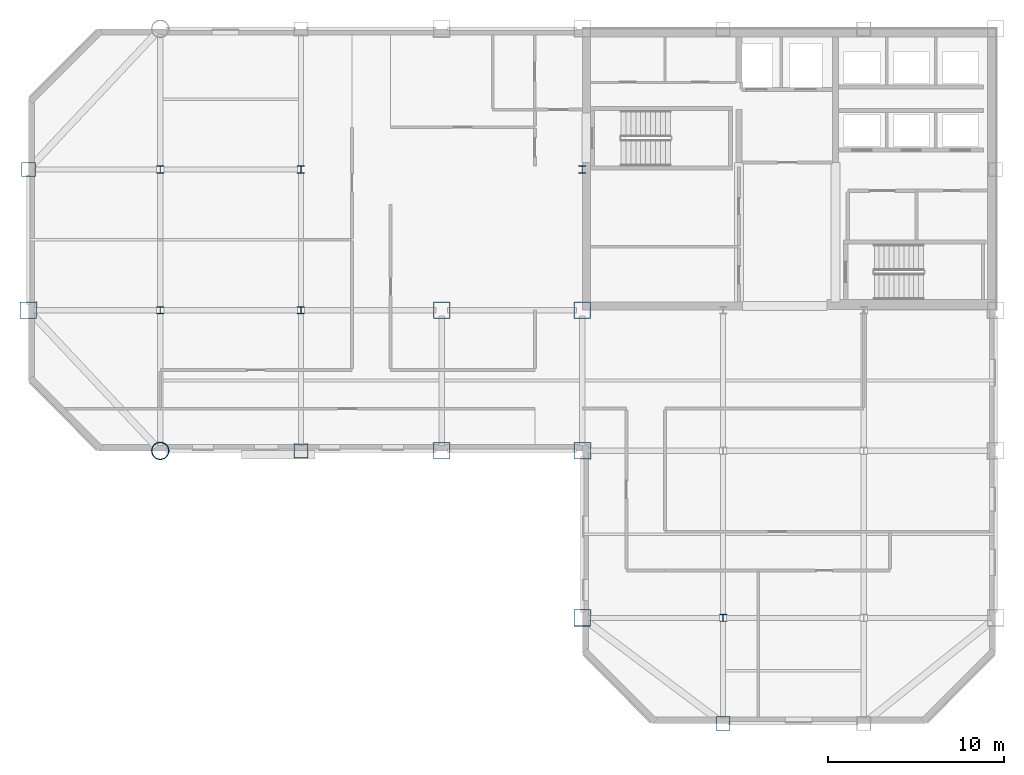
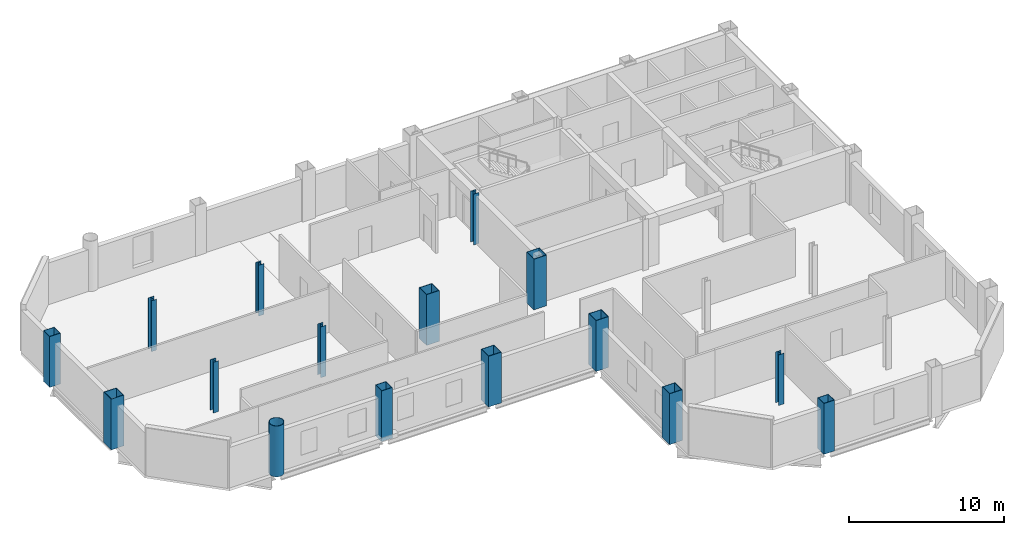
# One storey, part 1 of 10: 16 columns.
"""IFC4 building model written with IfcOpenShell, lengths in metres."""

import ifcopenshell
import ifcopenshell.guid

model = None  # the IFC model being written
_history = None  # IfcOwnerHistory: only IFC2X3 demands one
_inside = {}  # id of a spatial element -> (the spatial element, [elements in it])
_under = {}  # id of a project, library or spatial element -> (it, [spatial elements below it])
_declared = {}  # id of a project -> (the project, [libraries it declares])
_typed = {}  # id of a type object -> (the type object, [elements of that type])
_made_of = {}  # id of a material, layer set ... -> (it, [elements and type objects made of it])


def new_model(schema):
    """Start an empty IFC model of exactly this schema.

    Asked for "IFC4X3", IfcOpenShell would pick the latest addendum, in which some entities
    have other attributes; the version numbers below select the first issue.
    IFC2X3 requires an IfcOwnerHistory on every rooted entity: one is made here for all.
    """
    global model, _history
    if schema == "IFC4X3":
        model = ifcopenshell.file(schema_version=(4, 3, 0, 0))
    else:
        model = ifcopenshell.file(schema=schema)
    _inside.clear()
    _under.clear()
    _declared.clear()
    _typed.clear()
    _made_of.clear()
    _history = None
    if model.schema == "IFC2X3":
        org = make("IfcOrganization", Name="unknown")
        user = make(
            "IfcPersonAndOrganization",
            ThePerson=make("IfcPerson", FamilyName="unknown"),
            TheOrganization=org,
        )
        app = make(
            "IfcApplication",
            ApplicationDeveloper=org,
            Version="unknown",
            ApplicationFullName="unknown",
            ApplicationIdentifier="unknown",
        )
        _history = make(
            "IfcOwnerHistory",
            OwningUser=user,
            OwningApplication=app,
            ChangeAction="ADDED",
            CreationDate=0,
        )
    return model


def make(cls, **values):
    """One entity of the class cls with the attributes given. An attribute that is None is left unset."""
    return model.create_entity(
        cls, **{name: value for name, value in values.items() if value is not None}
    )


def rooted(cls, **values):
    """An entity with a GlobalId (a new one), such as an element, a storey or a relation."""
    return make(cls, GlobalId=ifcopenshell.guid.new(), OwnerHistory=_history, **values)


def si_unit(unit_type, name, prefix=None):
    """IfcSIUnit, for example si_unit("LENGTHUNIT", "METRE", prefix="MILLI")."""
    return make("IfcSIUnit", UnitType=unit_type, Prefix=prefix, Name=name)


def assignment(units):
    """IfcUnitAssignment: the units of a project."""
    return None if units is None else make("IfcUnitAssignment", Units=units)


def point(xyz):
    """IfcCartesianPoint."""
    return None if xyz is None else make("IfcCartesianPoint", Coordinates=xyz)


def direction(xyz):
    """IfcDirection."""
    return None if xyz is None else make("IfcDirection", DirectionRatios=xyz)


def frame(location, z_axis=None, x_axis=None):
    """IfcAxis2Placement3D, a coordinate frame: its origin and axes. An axis left out is left unset."""
    return make(
        "IfcAxis2Placement3D",
        Location=point(location),
        Axis=direction(z_axis),
        RefDirection=direction(x_axis),
    )


def frame_2d(location, x_axis=None):
    """IfcAxis2Placement2D, a coordinate frame in the plane: its origin and x axis."""
    return make(
        "IfcAxis2Placement2D", Location=point(location), RefDirection=direction(x_axis)
    )


def origin():
    """The frame at (0, 0, 0) with its axes left unset."""
    return frame((0.0, 0.0, 0.0))


def origin_2d():
    """The frame at (0, 0) in the plane with its x axis left unset."""
    return frame_2d((0.0, 0.0))


def place(relative_to, where):
    """IfcLocalPlacement: puts the frame where relative to a parent placement (None: the world)."""
    return make(
        "IfcLocalPlacement", PlacementRelTo=relative_to, RelativePlacement=where
    )


def context(
    kind, dimensions, precision=None, world=None, true_north=None, identifier=None
):
    """IfcGeometricRepresentationContext, for example the 3D "Model" context."""
    return make(
        "IfcGeometricRepresentationContext",
        ContextIdentifier=identifier,
        ContextType=kind,
        CoordinateSpaceDimension=dimensions,
        Precision=precision,
        WorldCoordinateSystem=world,
        TrueNorth=true_north,
    )


def subcontext(parent, identifier, kind, view, scale=None):
    """IfcGeometricRepresentationSubContext, for example "Body" below "Model"."""
    return make(
        "IfcGeometricRepresentationSubContext",
        ContextIdentifier=identifier,
        ContextType=kind,
        ParentContext=parent,
        TargetScale=scale,
        TargetView=view,
    )


def project(units=None, contexts=None):
    """IfcProject with its units and contexts."""
    return rooted(
        "IfcProject",
        Name="project",
        RepresentationContexts=contexts,
        UnitsInContext=assignment(units),
    )


def spatial(cls, under=None, at=None, **own):
    """A site, building, storey or space (cls), placed at a placement, below another one or the project."""
    s = rooted(cls, ObjectPlacement=at, **own)
    if under is not None:
        _under.setdefault(under.id(), (under, []))[1].append(s)
    return s


def profile(cls, at=None, kind="AREA", **sizes):
    """A parametric profile (cls). Its sizes go by their IFC names, for example OverallWidth=200.0."""
    return make(cls, ProfileType=kind, Position=at, **sizes)


def hollow_rectangle(**sizes):
    """IfcRectangleHollowProfileDef."""
    return profile("IfcRectangleHollowProfileDef", **sizes)


def hollow_circle(**sizes):
    """IfcCircleHollowProfileDef."""
    return profile("IfcCircleHollowProfileDef", **sizes)


def i_section(**sizes):
    """IfcIShapeProfileDef."""
    return profile("IfcIShapeProfileDef", **sizes)


def extrude(swept, where, along, depth):
    """IfcExtrudedAreaSolid: the profile swept, set in the frame where, extruded along a direction by depth."""
    return make(
        "IfcExtrudedAreaSolid",
        SweptArea=swept,
        Position=where,
        ExtrudedDirection=direction(along),
        Depth=depth,
    )


def shape(context_of_items, identifier, shape_type, items):
    """IfcShapeRepresentation: the items that make up one representation, for example the "Body"."""
    return make(
        "IfcShapeRepresentation",
        ContextOfItems=context_of_items,
        RepresentationIdentifier=identifier,
        RepresentationType=shape_type,
        Items=items,
    )


def material(Name=None, Category=None):
    """IfcMaterial."""
    return make("IfcMaterial", Name=Name, Category=Category)


def material_profile(
    of_material, cross_section, Name=None, Category=None, Priority=None
):
    """IfcMaterialProfile: a cross section and its material."""
    return make(
        "IfcMaterialProfile",
        Name=Name,
        Material=of_material,
        Profile=cross_section,
        Priority=Priority,
        Category=Category,
    )


def profile_set(profiles, Name=None, composite=None):
    """IfcMaterialProfileSet."""
    return make(
        "IfcMaterialProfileSet",
        Name=Name,
        MaterialProfiles=profiles,
        CompositeProfile=composite,
    )


def made_of(thing, what):
    """Note that an element or type object is made of a material, layer set ...; save() writes the relation."""
    if what is not None:
        _made_of.setdefault(what.id(), (what, []))[1].append(thing)
    return thing


def type_object(cls, material=None, **own):
    """A type object (cls), such as IfcWallType, which elements share."""
    return made_of(rooted(cls, **own), material)


def element(
    cls,
    number,
    at=None,
    inside=None,
    cuts=None,
    type_object=None,
    material=None,
    context=None,
    identifier="Body",
    shape_type=None,
    held_by="IfcProductDefinitionShape",
    body=None,
    shapes=None,
    **own,
):
    """One element of the class cls, such as IfcWall. Its Tag is "e" and its number.

    at: its placement. inside: the storey or other place that contains it. cuts: it is an
    opening in that element (IfcRelVoidsElement). A single representation is given by context,
    identifier, shape_type and body (its items); several are given by shapes. held_by: the class
    of the entity that holds the representations. save() writes the other relations.
    """
    e = rooted(cls, Tag="e%d" % number, ObjectPlacement=at, **own)
    if body is not None:
        shapes = [shape(context, identifier, shape_type, body)]
    if shapes is not None:
        e.Representation = make(held_by, Representations=shapes)
    if inside is not None:
        _inside.setdefault(inside.id(), (inside, []))[1].append(e)
    if cuts is not None:
        rooted(
            "IfcRelVoidsElement", RelatingBuildingElement=cuts, RelatedOpeningElement=e
        )
    if type_object is not None:
        _typed.setdefault(type_object.id(), (type_object, []))[1].append(e)
    return made_of(e, material)


def aggregate(whole, parts):
    """IfcRelAggregates: a whole, such as a stair, and the parts it consists of."""
    return rooted("IfcRelAggregates", RelatingObject=whole, RelatedObjects=parts)


def save(model, path):
    """Write the relations noted so far, then the file.

    IfcRelAggregates (storeys below a building ...), IfcRelContainedInSpatialStructure (elements
    in a storey), IfcRelDefinesByType, IfcRelAssociatesMaterial and IfcRelDeclares: one each for
    every whole, place, type object, material and project.
    """
    for whole, parts in _under.values():
        aggregate(whole, parts)
    for where, things in _inside.values():
        rooted(
            "IfcRelContainedInSpatialStructure",
            RelatedElements=things,
            RelatingStructure=where,
        )
    for kind, things in _typed.values():
        rooted("IfcRelDefinesByType", RelatedObjects=things, RelatingType=kind)
    for what, things in _made_of.values():
        rooted("IfcRelAssociatesMaterial", RelatedObjects=things, RelatingMaterial=what)
    for by, libraries in _declared.values():
        rooted("IfcRelDeclares", RelatingContext=by, RelatedDefinitions=libraries)
    model.write(path)


model = new_model("IFC4")

# Units and contexts
model_context = context("Model", 3, precision=1e-05, world=origin(), true_north=direction((0.0, 1.0)))
body_context = subcontext(model_context, "Body", "Model", "MODEL_VIEW")
ifc_project = project(units=[si_unit("LENGTHUNIT", "METRE"), si_unit("AREAUNIT", "SQUARE_METRE"), si_unit("VOLUMEUNIT", "CUBIC_METRE"), si_unit("PLANEANGLEUNIT", "RADIAN"), si_unit("MASSUNIT", "GRAM", prefix="KILO")], contexts=[model_context])

# Site, building, storey
site_placement = place(None, origin())
site = spatial("IfcSite", under=ifc_project, at=site_placement, CompositionType="ELEMENT")
building_placement = place(site_placement, origin())
building = spatial("IfcBuilding", under=site, at=building_placement, Name="Qianrong Seaharbour Tower", CompositionType="ELEMENT")
storey_placement = place(building_placement, frame((0.0, 0.0, 233.800048828125)))
storey = spatial("IfcBuildingStorey", under=building, at=storey_placement, Name="L56", CompositionType="ELEMENT", Elevation=233.800048828125)

# Columns
ifc_material = material(Name="Structural steel SN490B", Category="steel")
ifc_material_profile_1 = material_profile(ifc_material, hollow_rectangle(XDim=0.949951171875, YDim=0.949951171875, WallThickness=0.035888671875, at=origin_2d()), Name="BOX950x950x36")
ifc_profile_set_1 = profile_set([ifc_material_profile_1], Name="Structural steel SN490B")
column_type_1 = type_object("IfcColumnType", Name="COL-CFT-950", PredefinedType="COLUMN", material=ifc_profile_set_1)
for number, where, z_axis, x_axis, name in (
    (1, (9.0, 36.0, 0.0), (0.0, 0.0, 1.0), (1.0, 0.0, 0.0), "L56 Column MC-4 at G2/GF"),
    (2, (32.5, 28.0, 0.0), (0.0, 0.0, 1.0), (1.0, 0.0, 0.0), "L56 Column MC-4 at G5/GE"),
    (3, (32.5, 36.0, 0.0), (0.0, 0.0, 1.0), (1.0, 0.0, 0.0), "L56 Column MC-4 at G5/GF"),
    (4, (40.5, 18.5, 0.0), (0.0, 0.0, 1.0), (1.0, 0.0, 0.0), "L56 Column MC-4 at G6/GD"),
    (5, (40.5, 28.0, 0.0), (0.0, 0.0, 1.0), (1.0, 0.0, 0.0), "L56 Column MC-4 at G6/GE"),
    (6, (40.5, 36.0, 0.0), (0.0, 0.0, 1.0), (1.0, 0.0, 0.0), "L56 Column MC-4 at G6/GF"),
):
    element("IfcColumn", number, at=place(storey_placement, frame(where, z_axis=z_axis, x_axis=x_axis)), inside=storey, type_object=column_type_1, Name=name, PredefinedType="COLUMN", context=body_context, shape_type="SweptSolid", body=[
        extrude(hollow_rectangle(XDim=0.949951171875, YDim=0.949951171875, WallThickness=0.035888671875, at=origin_2d()), origin(), (0.0, 0.0, 1.0), 4.0),
    ])
ifc_material_profile_2 = material_profile(ifc_material, hollow_circle(Radius=0.5, WallThickness=0.035888671875, at=origin_2d()), Name="CHS1000x36")
ifc_profile_set_2 = profile_set([ifc_material_profile_2], Name="Structural steel SN490B")
column_type_2 = type_object("IfcColumnType", Name="COL-CHS-1000", PredefinedType="COLUMN", material=ifc_profile_set_2)
column_placement = place(storey_placement, frame((16.5, 28.0, 0.0), z_axis=(0.0, 0.0, 1.0), x_axis=(1.0, 0.0, 0.0)))
element("IfcColumn", 7, at=column_placement, inside=storey, type_object=column_type_2, Name="L56 Column CC-2 at G3/GE", PredefinedType="COLUMN", context=body_context, shape_type="SweptSolid", body=[
    extrude(hollow_circle(Radius=0.5, WallThickness=0.035888671875, at=origin_2d()), origin(), (0.0, 0.0, 1.0), 4.0),
])
ifc_material_profile_3 = material_profile(ifc_material, i_section(OverallWidth=0.39990234375, OverallDepth=0.39990234375, WebThickness=0.012939453125, FlangeThickness=0.02099609375, FilletRadius=0.02197265625, at=origin_2d()), Name="H400x400x13x21")
ifc_profile_set_3 = profile_set([ifc_material_profile_3], Name="Structural steel SN490B")
column_type_3 = type_object("IfcColumnType", Name="COL-INT-H400", PredefinedType="COLUMN", material=ifc_profile_set_3)
for number, where, z_axis, x_axis, name in (
    (8, (16.5, 36.0, 0.0), (0.0, 0.0, 1.0), (1.0, 0.0, 0.0), "L56 Column IC-3 at G3/GF"),
    (9, (16.5, 44.0, 0.0), (0.0, 0.0, 1.0), (1.0, 0.0, 0.0), "L56 Column IC-3 at G3/GG"),
    (10, (24.5, 36.0, 0.0), (0.0, 0.0, 1.0), (1.0, 0.0, 0.0), "L56 Column IC-3 at G4/GF"),
    (11, (24.5, 44.0, 0.0), (0.0, 0.0, 1.0), (1.0, 0.0, 0.0), "L56 Column IC-3 at G4/GG"),
    (12, (40.5, 44.0, 0.0), (0.0, 0.0, 1.0), (1.0, 0.0, 0.0), "L56 Column IC-3 at G6/GG"),
    (13, (48.5, 18.5, 0.0), (0.0, 0.0, 1.0), (1.0, 0.0, 0.0), "L56 Column IC-3 at G7/GD"),
):
    element("IfcColumn", number, at=place(storey_placement, frame(where, z_axis=z_axis, x_axis=x_axis)), inside=storey, type_object=column_type_3, Name=name, PredefinedType="COLUMN", context=body_context, shape_type="SweptSolid", body=[
        extrude(i_section(OverallWidth=0.39990234375, OverallDepth=0.39990234375, WebThickness=0.012939453125, FlangeThickness=0.02099609375, FilletRadius=0.02197265625, at=origin_2d()), origin(), (0.0, 0.0, 1.0), 4.0),
    ])
ifc_material_profile_4 = material_profile(ifc_material, hollow_rectangle(XDim=0.800048828125, YDim=0.800048828125, WallThickness=0.031982421875, at=origin_2d()), Name="BOX800x800x32")
ifc_profile_set_4 = profile_set([ifc_material_profile_4], Name="Structural steel SN490B")
column_type_4 = type_object("IfcColumnType", Name="COL-PER-800", PredefinedType="COLUMN", material=ifc_profile_set_4)
for number, where, z_axis, x_axis, name in (
    (14, (9.0, 44.0, 0.0), (0.0, 0.0, 1.0), (1.0, 0.0, 0.0), "L56 Column PC-3 at G2/GG"),
    (15, (24.5, 28.0, 0.0), (0.0, 0.0, 1.0), (1.0, 0.0, 0.0), "L56 Column PC-3 at G4/GE"),
    (16, (48.5, 12.5, 0.0), (0.0, 0.0, 1.0), (1.0, 0.0, 0.0), "L56 Column PC-3 at G7/GC"),
):
    element("IfcColumn", number, at=place(storey_placement, frame(where, z_axis=z_axis, x_axis=x_axis)), inside=storey, type_object=column_type_4, Name=name, PredefinedType="COLUMN", context=body_context, shape_type="SweptSolid", body=[
        extrude(hollow_rectangle(XDim=0.800048828125, YDim=0.800048828125, WallThickness=0.031982421875, at=origin_2d()), origin(), (0.0, 0.0, 1.0), 4.0),
    ])

save(model, "model.ifc")
